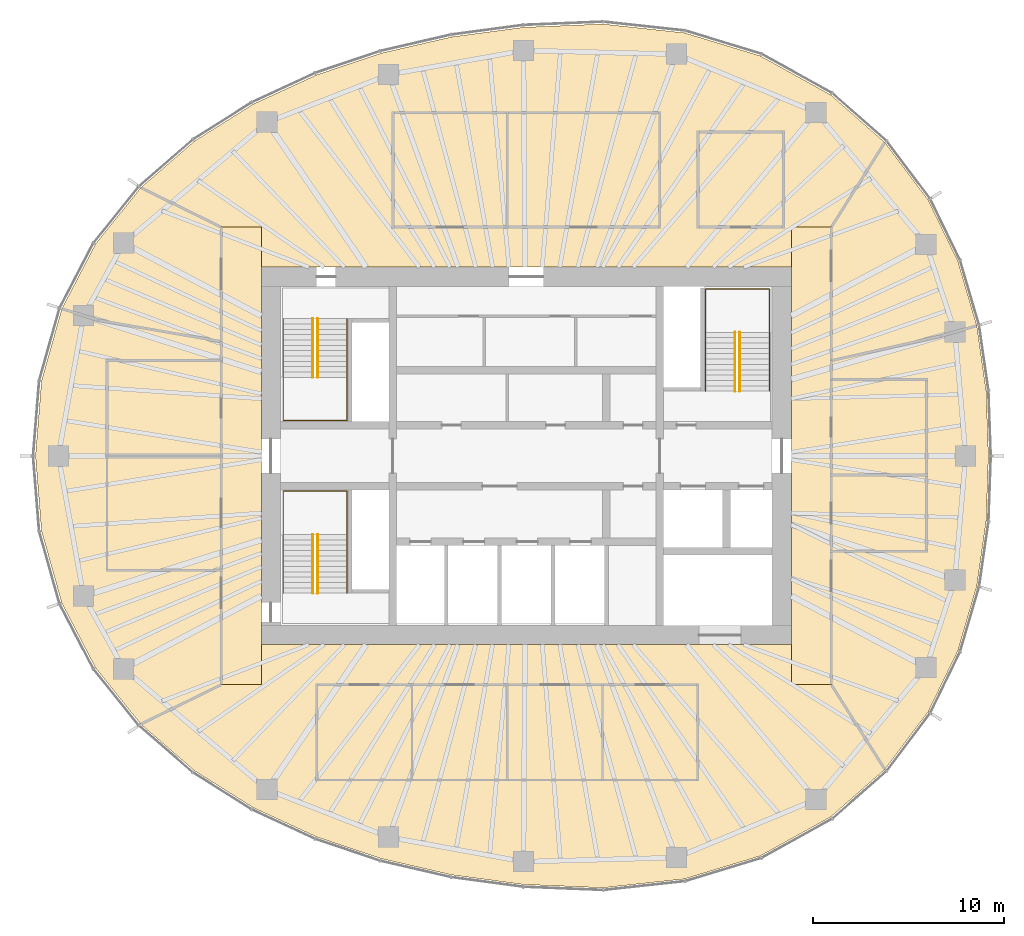
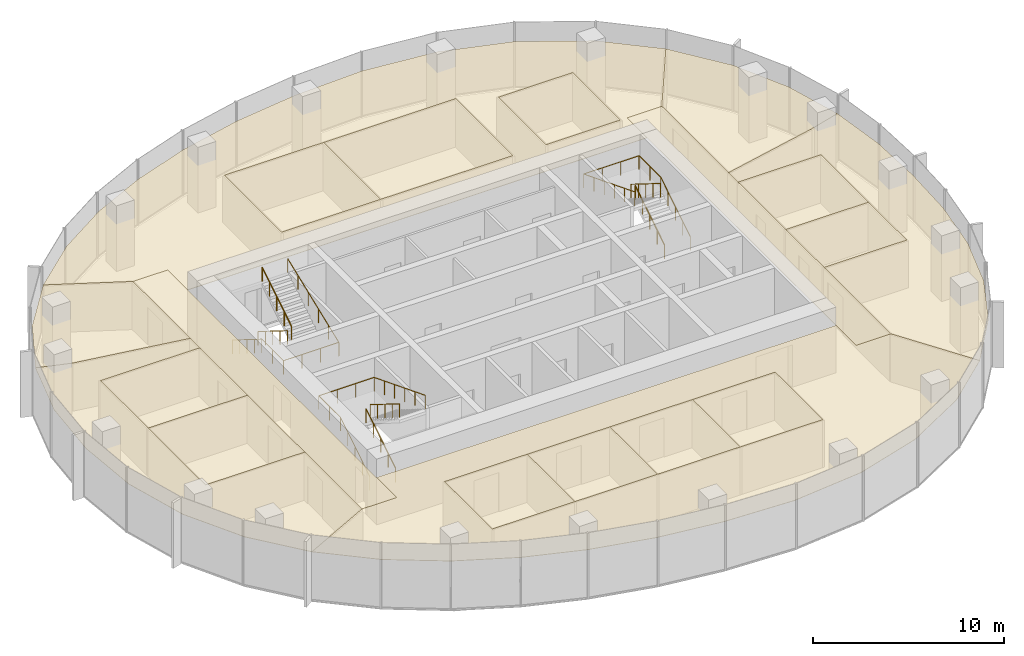
# One storey, part 11 of 11: 19 coverings, 9 railings.
"""IFC4 building model written with IfcOpenShell, lengths in metres."""

from ifc_helpers import new_model, si_unit, direction, frame, origin, origin_2d, place, context, subcontext, project, spatial, polyline, circle, outline, extrude, material, layer, layer_set, type_object, element, save


model = new_model("IFC4")

# Units and contexts
model_context = context("Model", 3, precision=1e-05, world=origin(), true_north=direction((0.0, 1.0)))
body_context = subcontext(model_context, "Body", "Model", "MODEL_VIEW")
ifc_project = project(units=[si_unit("LENGTHUNIT", "METRE"), si_unit("AREAUNIT", "SQUARE_METRE"), si_unit("VOLUMEUNIT", "CUBIC_METRE"), si_unit("PLANEANGLEUNIT", "RADIAN"), si_unit("MASSUNIT", "GRAM", prefix="KILO")], contexts=[model_context])

# Site, building, storey
site_placement = place(None, origin())
site = spatial("IfcSite", under=ifc_project, at=site_placement, CompositionType="ELEMENT")
building_placement = place(site_placement, origin())
building = spatial("IfcBuilding", under=site, at=building_placement, Name="Ghaith Harvest Tower", CompositionType="ELEMENT")
storey_placement = place(building_placement, frame((0.0, 0.0, 288.0)))
storey = spatial("IfcBuildingStorey", under=building, at=storey_placement, Name="L64", CompositionType="ELEMENT", Elevation=288.0)

# Coverings
ifc_material_1 = material(Name="Mineral fibre ceiling tile", Category="gypsum")
ifc_layer = layer(ifc_material_1, 0.02490234375)
ifc_layer_set = layer_set([ifc_layer], Name="CEILING C2")
covering_type = type_object("IfcCoveringType", Name="CEILING C2", PredefinedType="CEILING", material=ifc_layer_set)
covering_1_placement = place(storey_placement, frame((0.0, 0.0, 3.0)))
element("IfcCovering", 1, at=covering_1_placement, inside=storey, type_object=covering_type, Name="Ceiling L64-01", PredefinedType="CEILING", context=body_context, shape_type="SweptSolid", body=[
    extrude(outline(polyline([(-11.0, -17.0), (-6.0, -17.0), (-6.0, -12.0), (-11.0, -12.0), (-11.0, -17.0)])), origin(), (0.0, 0.0, 1.0), 0.02490234375),
])
covering_2_placement = place(storey_placement, frame((0.0, 0.0, 3.0)))
element("IfcCovering", 2, at=covering_2_placement, inside=storey, type_object=covering_type, Name="Ceiling L64-02", PredefinedType="CEILING", context=body_context, shape_type="SweptSolid", body=[
    extrude(outline(polyline([(-6.0, -17.0), (-1.0, -17.0), (-1.0, -12.0), (-6.0, -12.0), (-6.0, -17.0)])), origin(), (0.0, 0.0, 1.0), 0.02490234375),
])
covering_3_placement = place(storey_placement, frame((0.0, 0.0, 3.0)))
element("IfcCovering", 3, at=covering_3_placement, inside=storey, type_object=covering_type, Name="Ceiling L64-03", PredefinedType="CEILING", context=body_context, shape_type="SweptSolid", body=[
    extrude(outline(polyline([(-1.0, -17.0), (4.0, -17.0), (4.0, -12.0), (-1.0, -12.0), (-1.0, -17.0)])), origin(), (0.0, 0.0, 1.0), 0.02490234375),
])
covering_4_placement = place(storey_placement, frame((0.0, 0.0, 3.0)))
element("IfcCovering", 4, at=covering_4_placement, inside=storey, type_object=covering_type, Name="Ceiling L64-04", PredefinedType="CEILING", context=body_context, shape_type="SweptSolid", body=[
    extrude(outline(polyline([(4.0, -17.0), (9.0, -17.0), (9.0, -12.0), (4.0, -12.0), (4.0, -17.0)])), origin(), (0.0, 0.0, 1.0), 0.02490234375),
])
covering_5_placement = place(storey_placement, frame((0.0, 0.0, 3.0)))
element("IfcCovering", 5, at=covering_5_placement, inside=storey, type_object=covering_type, Name="Ceiling L64-05", PredefinedType="CEILING", context=body_context, shape_type="SweptSolid", body=[
    extrude(outline(polyline([(-22.0, -6.0), (-16.0, -6.0), (-16.0, 0.0), (-22.0, 0.0), (-22.0, -6.0)])), origin(), (0.0, 0.0, 1.0), 0.02490234375),
])
covering_6_placement = place(storey_placement, frame((0.0, 0.0, 3.0)))
element("IfcCovering", 6, at=covering_6_placement, inside=storey, type_object=covering_type, Name="Ceiling L64-06", PredefinedType="CEILING", context=body_context, shape_type="SweptSolid", body=[
    extrude(outline(polyline([(-22.0, 0.0), (-16.0, 0.0), (-16.0, 5.0), (-22.0, 5.0), (-22.0, 0.0)])), origin(), (0.0, 0.0, 1.0), 0.02490234375),
])
covering_7_placement = place(storey_placement, frame((0.0, 0.0, 3.0)))
element("IfcCovering", 7, at=covering_7_placement, inside=storey, type_object=covering_type, Name="Ceiling L64-07", PredefinedType="CEILING", context=body_context, shape_type="SweptSolid", body=[
    extrude(outline(polyline([(-7.0, 12.0), (-1.0, 12.0), (-1.0, 18.0), (-7.0, 18.0), (-7.0, 12.0)])), origin(), (0.0, 0.0, 1.0), 0.02490234375),
])
covering_8_placement = place(storey_placement, frame((0.0, 0.0, 3.0)))
element("IfcCovering", 8, at=covering_8_placement, inside=storey, type_object=covering_type, Name="Ceiling L64-08", PredefinedType="CEILING", context=body_context, shape_type="SweptSolid", body=[
    extrude(outline(polyline([(-1.0, 12.0), (7.0, 12.0), (7.0, 18.0), (-1.0, 18.0), (-1.0, 12.0)])), origin(), (0.0, 0.0, 1.0), 0.02490234375),
])
covering_9_placement = place(storey_placement, frame((0.0, 0.0, 3.0)))
element("IfcCovering", 9, at=covering_9_placement, inside=storey, type_object=covering_type, Name="Ceiling L64-09", PredefinedType="CEILING", context=body_context, shape_type="SweptSolid", body=[
    extrude(outline(polyline([(16.0, -5.0), (21.0, -5.0), (21.0, -1.0), (16.0, -1.0), (16.0, -5.0)])), origin(), (0.0, 0.0, 1.0), 0.02490234375),
])
covering_10_placement = place(storey_placement, frame((0.0, 0.0, 3.0)))
element("IfcCovering", 10, at=covering_10_placement, inside=storey, type_object=covering_type, Name="Ceiling L64-10", PredefinedType="CEILING", context=body_context, shape_type="SweptSolid", body=[
    extrude(outline(polyline([(16.0, -1.0), (21.0, -1.0), (21.0, 4.0), (16.0, 4.0), (16.0, -1.0)])), origin(), (0.0, 0.0, 1.0), 0.02490234375),
])
covering_11_placement = place(storey_placement, frame((0.0, 0.0, 3.0)))
element("IfcCovering", 11, at=covering_11_placement, inside=storey, type_object=covering_type, Name="Ceiling L64-11", PredefinedType="CEILING", context=body_context, shape_type="SweptSolid", body=[
    extrude(outline(polyline([(9.0, 12.0), (13.5, 12.0), (13.5, 17.0), (9.0, 17.0), (9.0, 12.0)])), origin(), (0.0, 0.0, 1.0), 0.02490234375),
])
covering_12_placement = place(storey_placement, frame((0.0, 0.0, 3.0)))
element("IfcCovering", 12, at=covering_12_placement, inside=storey, type_object=covering_type, Name="Ceiling L64-C1", PredefinedType="CEILING", context=body_context, shape_type="SweptSolid", body=[
    extrude(outline(polyline([(13.89990234375, -12.0), (13.89990234375, 12.0), (16.0, 12.0), (16.0, -12.0), (13.89990234375, -12.0)])), origin(), (0.0, 0.0, 1.0), 0.02490234375),
])
covering_13_placement = place(storey_placement, frame((0.0, 0.0, 3.0)))
element("IfcCovering", 13, at=covering_13_placement, inside=storey, type_object=covering_type, Name="Ceiling L64-C2", PredefinedType="CEILING", context=body_context, shape_type="SweptSolid", body=[
    extrude(outline(polyline([(-13.89990234375, 12.0), (-13.89990234375, -12.0), (-16.0, -12.0), (-16.0, 12.0), (-13.89990234375, 12.0)])), origin(), (0.0, 0.0, 1.0), 0.02490234375),
])
covering_14_placement = place(storey_placement, frame((0.0, 0.0, 3.0)))
element("IfcCovering", 14, at=covering_14_placement, inside=storey, type_object=covering_type, Name="Ceiling L64-N1", PredefinedType="CEILING", context=body_context, shape_type="SweptSolid", body=[
    extrude(outline(polyline([(-17.40771484375, 16.518310546875), (-14.331298828125, 18.452880859375), (-11.009521484375, 19.98779296875), (-7.6298828125, 21.12548828125), (-3.92529296875, 21.98046875), (-0.15380859375, 22.486083984375), (4.016845703125, 22.658447265625), (8.2978515625, 22.1962890625), (12.273681640625, 20.98828125), (15.971923828125, 18.940185546875), (18.810791015625, 16.4482421875), (16.0, 12.0), (13.89990234375, 12.0), (13.89990234375, 9.89990234375), (-13.89990234375, 9.89990234375), (-13.89990234375, 12.0), (-16.0, 12.0), (-20.225830078125, 14.0732421875), (-17.40771484375, 16.518310546875)]), holes=[polyline([(7.0, 18.0), (-7.0, 18.0), (-7.0, 12.0), (7.0, 12.0), (7.0, 18.0)]), polyline([(9.0, 17.0), (9.0, 12.0), (13.5, 12.0), (13.5, 17.0), (9.0, 17.0)])]), origin(), (0.0, 0.0, 1.0), 0.02490234375),
])
covering_15_placement = place(storey_placement, frame((0.0, 0.0, 3.0)))
element("IfcCovering", 15, at=covering_15_placement, inside=storey, type_object=covering_type, Name="Ceiling L64-E1", PredefinedType="CEILING", context=body_context, shape_type="SweptSolid", body=[
    extrude(outline(polyline([(21.087890625, 13.42041015625), (22.644775390625, 10.222900390625), (23.6376953125, 6.831787109375), (21.71630859375, 6.276611328125), (16.0, 5.0), (16.0, 12.0), (18.810791015625, 16.4482421875), (21.087890625, 13.42041015625)])), origin(), (0.0, 0.0, 1.0), 0.02490234375),
])
covering_16_placement = place(storey_placement, frame((0.0, 0.0, 3.0)))
element("IfcCovering", 16, at=covering_16_placement, inside=storey, type_object=covering_type, Name="Ceiling L64-E2", PredefinedType="CEILING", context=body_context, shape_type="SweptSolid", body=[
    extrude(outline(polyline([(23.6376953125, 6.831787109375), (23.6376953125, 6.831787109375), (24.129150390625, 3.4169921875), (24.25, 0.0), (24.129150390625, -3.4169921875), (23.6376953125, -6.831787109375), (22.644775390625, -10.222900390625), (21.087890625, -13.42041015625), (18.810791015625, -16.4482421875), (16.0, -12.0), (16.0, -5.0), (21.0, -5.0), (21.0, 4.0), (16.0, 4.0), (16.0, 5.0), (21.71630859375, 6.276611328125), (23.6376953125, 6.831787109375)])), origin(), (0.0, 0.0, 1.0), 0.02490234375),
])
covering_17_placement = place(storey_placement, frame((0.0, 0.0, 3.0)))
element("IfcCovering", 17, at=covering_17_placement, inside=storey, type_object=covering_type, Name="Ceiling L64-S1", PredefinedType="CEILING", context=body_context, shape_type="SweptSolid", body=[
    extrude(outline(polyline([(-14.331298828125, -18.452880859375), (-17.40771484375, -16.518310546875), (-20.225830078125, -14.0732421875), (-16.0, -12.0), (-13.89990234375, -12.0), (-13.89990234375, -9.89990234375), (13.89990234375, -9.89990234375), (13.89990234375, -12.0), (16.0, -12.0), (18.810791015625, -16.4482421875), (15.971923828125, -18.940185546875), (12.273681640625, -20.98828125), (8.2978515625, -22.1962890625), (4.016845703125, -22.658447265625), (-0.15380859375, -22.486083984375), (-3.92529296875, -21.98046875), (-7.6298828125, -21.12548828125), (-11.009521484375, -19.98779296875), (-14.331298828125, -18.452880859375)]), holes=[polyline([(-11.0, -17.0), (9.0, -17.0), (9.0, -12.0), (-11.0, -12.0), (-11.0, -17.0)])]), origin(), (0.0, 0.0, 1.0), 0.02490234375),
])
covering_18_placement = place(storey_placement, frame((0.0, 0.0, 3.0)))
element("IfcCovering", 18, at=covering_18_placement, inside=storey, type_object=covering_type, Name="Ceiling L64-W1", PredefinedType="CEILING", context=body_context, shape_type="SweptSolid", body=[
    extrude(outline(polyline([(-22.5986328125, -11.12353515625), (-24.368408203125, -7.722900390625), (-25.43310546875, -3.93359375), (-25.75, 0.0), (-25.43310546875, 3.93359375), (-24.368408203125, 7.722900390625), (-24.368408203125, 7.722900390625), (-22.4619140625, 7.11865234375), (-16.0, 6.0), (-16.0, 5.0), (-22.0, 5.0), (-22.0, -6.0), (-16.0, -6.0), (-16.0, -12.0), (-20.225830078125, -14.0732421875), (-22.5986328125, -11.12353515625)])), origin(), (0.0, 0.0, 1.0), 0.02490234375),
])
covering_19_placement = place(storey_placement, frame((0.0, 0.0, 3.0)))
element("IfcCovering", 19, at=covering_19_placement, inside=storey, type_object=covering_type, Name="Ceiling L64-W2", PredefinedType="CEILING", context=body_context, shape_type="SweptSolid", body=[
    extrude(outline(polyline([(-24.368408203125, 7.722900390625), (-24.368408203125, 7.722900390625), (-22.5986328125, 11.12353515625), (-20.225830078125, 14.0732421875), (-16.0, 12.0), (-16.0, 6.0), (-22.4619140625, 7.11865234375), (-24.368408203125, 7.722900390625), (-24.368408203125, 7.722900390625)])), origin(), (0.0, 0.0, 1.0), 0.02490234375),
])

# Railings
ifc_material_2 = material(Name="Steel, black powder-coated", Category="steel")
railing_type = type_object("IfcRailingType", Name="HANDRAIL HR1", PredefinedType="HANDRAIL", material=ifc_material_2)
railing_1_placement = place(storey_placement, frame((-11.199951171875, 7.199951171875, 0.175048828125)))
element("IfcRailing", 20, at=railing_1_placement, inside=storey, type_object=railing_type, Name="Handrail HR1 stair ST1 L64 flight 1 inner", PredefinedType="HANDRAIL", context=body_context, shape_type="SweptSolid", body=[
    extrude(circle(Radius=0.02392578125, at=origin_2d()), frame((0.0, 0.0, 0.8759765625), z_axis=(0.0, -0.847979421464, 0.530029150871), x_axis=(1.0, 0.0, 0.0)), (0.0, 0.0, 1.0), 3.632080078125),
    extrude(circle(Radius=0.02099609375, at=origin_2d()), origin(), (0.0, 0.0, 1.0), 0.851806640625),
    extrude(circle(Radius=0.02099609375, at=origin_2d()), frame((0.0, -0.77001953125, 0.481201171875)), (0.0, 0.0, 1.0), 0.851806640625),
    extrude(circle(Radius=0.02099609375, at=origin_2d()), frame((0.0, -1.5400390625, 0.96240234375)), (0.0, 0.0, 1.0), 0.851806640625),
    extrude(circle(Radius=0.02099609375, at=origin_2d()), frame((0.0, -2.309814453125, 1.44384765625)), (0.0, 0.0, 1.0), 0.851806640625),
    extrude(circle(Radius=0.02099609375, at=origin_2d()), frame((0.0, -3.079833984375, 1.925048828125)), (0.0, 0.0, 1.0), 0.851806640625),
])
railing_2_placement = place(storey_placement, frame((-10.949951171875, 4.1201171875, 2.27490234375)))
element("IfcRailing", 21, at=railing_2_placement, inside=storey, type_object=railing_type, Name="Handrail HR1 stair ST1 L64 flight 2 inner", PredefinedType="HANDRAIL", context=body_context, shape_type="SweptSolid", body=[
    extrude(circle(Radius=0.02392578125, at=origin_2d()), frame((0.0, 0.0, 0.8759765625), z_axis=(0.0, 0.847979421464, 0.530029150871), x_axis=(-1.0, 0.0, 0.0)), (0.0, 0.0, 1.0), 3.632080078125),
    extrude(circle(Radius=0.02099609375, at=origin_2d()), origin(), (0.0, 0.0, 1.0), 0.851806640625),
    extrude(circle(Radius=0.02099609375, at=origin_2d()), frame((0.0, 0.77001953125, 0.481201171875)), (0.0, 0.0, 1.0), 0.851806640625),
    extrude(circle(Radius=0.02099609375, at=origin_2d()), frame((0.0, 1.5400390625, 0.96240234375)), (0.0, 0.0, 1.0), 0.851806640625),
    extrude(circle(Radius=0.02099609375, at=origin_2d()), frame((0.0, 2.309814453125, 1.44384765625)), (0.0, 0.0, 1.0), 0.851806640625),
    extrude(circle(Radius=0.02099609375, at=origin_2d()), frame((0.0, 3.079833984375, 1.925048828125)), (0.0, 0.0, 1.0), 0.851806640625),
])
railing_3_placement = place(storey_placement, frame((-12.75, 7.199951171875, 0.175048828125)))
element("IfcRailing", 22, at=railing_3_placement, inside=storey, type_object=railing_type, Name="Handrail HR1 stair ST1 L64 wall side", PredefinedType="HANDRAIL", context=body_context, shape_type="SweptSolid", body=[
    extrude(circle(Radius=0.02392578125, at=origin_2d()), frame((0.0, 0.0, 0.8759765625), z_axis=(0.0, -0.847979421464, 0.530029150871), x_axis=(1.0, 0.0, 0.0)), (0.0, 0.0, 1.0), 3.632080078125),
    extrude(circle(Radius=0.02392578125, at=origin_2d()), frame((0.0, -3.079833984375, 2.80078125), z_axis=(0.0, -1.0, 0.0), x_axis=(1.0, 0.0, 0.0)), (0.0, 0.0, 1.0), 2.27001953125),
    extrude(circle(Radius=0.02392578125, at=origin_2d()), frame((0.0, -5.349853515625, 2.80078125), z_axis=(1.0, 0.0, 0.0), x_axis=(0.0, 1.0, 0.0)), (0.0, 0.0, 1.0), 3.35009765625),
    extrude(circle(Radius=0.02392578125, at=origin_2d()), frame((3.35009765625, -5.349853515625, 2.80078125), z_axis=(0.0, 0.930862461605, 0.365369781968), x_axis=(-1.0, 0.0, 0.0)), (0.0, 0.0, 1.0), 5.747314453125),
    extrude(circle(Radius=0.02099609375, at=origin_2d()), origin(), (0.0, 0.0, 1.0), 0.851806640625),
    extrude(circle(Radius=0.02099609375, at=origin_2d()), frame((0.0, -0.77001953125, 0.481201171875)), (0.0, 0.0, 1.0), 0.851806640625),
    extrude(circle(Radius=0.02099609375, at=origin_2d()), frame((0.0, -1.5400390625, 0.96240234375)), (0.0, 0.0, 1.0), 0.851806640625),
    extrude(circle(Radius=0.02099609375, at=origin_2d()), frame((0.0, -2.309814453125, 1.44384765625)), (0.0, 0.0, 1.0), 0.851806640625),
    extrude(circle(Radius=0.02099609375, at=origin_2d()), frame((0.0, -3.079833984375, 1.925048828125)), (0.0, 0.0, 1.0), 0.851806640625),
    extrude(circle(Radius=0.02099609375, at=origin_2d()), frame((0.0, -4.21484375, 1.925048828125)), (0.0, 0.0, 1.0), 0.851806640625),
    extrude(circle(Radius=0.02099609375, at=origin_2d()), frame((0.0, -5.349853515625, 1.925048828125)), (0.0, 0.0, 1.0), 0.851806640625),
    extrude(circle(Radius=0.02099609375, at=origin_2d()), frame((1.11669921875, -5.349853515625, 1.925048828125)), (0.0, 0.0, 1.0), 0.851806640625),
    extrude(circle(Radius=0.02099609375, at=origin_2d()), frame((2.2333984375, -5.349853515625, 1.925048828125)), (0.0, 0.0, 1.0), 0.851806640625),
    extrude(circle(Radius=0.02099609375, at=origin_2d()), frame((3.35009765625, -5.349853515625, 1.925048828125)), (0.0, 0.0, 1.0), 0.851806640625),
    extrude(circle(Radius=0.02099609375, at=origin_2d()), frame((3.35009765625, -4.27978515625, 2.344970703125)), (0.0, 0.0, 1.0), 0.851806640625),
    extrude(circle(Radius=0.02099609375, at=origin_2d()), frame((3.35009765625, -3.2099609375, 2.764892578125)), (0.0, 0.0, 1.0), 0.851806640625),
    extrude(circle(Radius=0.02099609375, at=origin_2d()), frame((3.35009765625, -2.139892578125, 3.18505859375)), (0.0, 0.0, 1.0), 0.851806640625),
    extrude(circle(Radius=0.02099609375, at=origin_2d()), frame((3.35009765625, -1.070068359375, 3.60498046875)), (0.0, 0.0, 1.0), 0.851806640625),
    extrude(circle(Radius=0.02099609375, at=origin_2d()), frame((3.35009765625, 0.0, 4.02490234375)), (0.0, 0.0, 1.0), 0.851806640625),
])
railing_4_placement = place(storey_placement, frame((-11.199951171875, -7.199951171875, 0.175048828125)))
element("IfcRailing", 23, at=railing_4_placement, inside=storey, type_object=railing_type, Name="Handrail HR1 stair ST3 L64 flight 1 inner", PredefinedType="HANDRAIL", context=body_context, shape_type="SweptSolid", body=[
    extrude(circle(Radius=0.02392578125, at=origin_2d()), frame((0.0, 0.0, 0.8759765625), z_axis=(0.0, 0.847979421464, 0.530029150871), x_axis=(-1.0, 0.0, 0.0)), (0.0, 0.0, 1.0), 3.632080078125),
    extrude(circle(Radius=0.02099609375, at=origin_2d()), origin(), (0.0, 0.0, 1.0), 0.851806640625),
    extrude(circle(Radius=0.02099609375, at=origin_2d()), frame((0.0, 0.77001953125, 0.481201171875)), (0.0, 0.0, 1.0), 0.851806640625),
    extrude(circle(Radius=0.02099609375, at=origin_2d()), frame((0.0, 1.5400390625, 0.96240234375)), (0.0, 0.0, 1.0), 0.851806640625),
    extrude(circle(Radius=0.02099609375, at=origin_2d()), frame((0.0, 2.309814453125, 1.44384765625)), (0.0, 0.0, 1.0), 0.851806640625),
    extrude(circle(Radius=0.02099609375, at=origin_2d()), frame((0.0, 3.079833984375, 1.925048828125)), (0.0, 0.0, 1.0), 0.851806640625),
])
railing_5_placement = place(storey_placement, frame((-10.949951171875, -4.1201171875, 2.27490234375)))
element("IfcRailing", 24, at=railing_5_placement, inside=storey, type_object=railing_type, Name="Handrail HR1 stair ST3 L64 flight 2 inner", PredefinedType="HANDRAIL", context=body_context, shape_type="SweptSolid", body=[
    extrude(circle(Radius=0.02392578125, at=origin_2d()), frame((0.0, 0.0, 0.8759765625), z_axis=(0.0, -0.847979421464, 0.530029150871), x_axis=(1.0, 0.0, 0.0)), (0.0, 0.0, 1.0), 3.632080078125),
    extrude(circle(Radius=0.02099609375, at=origin_2d()), origin(), (0.0, 0.0, 1.0), 0.851806640625),
    extrude(circle(Radius=0.02099609375, at=origin_2d()), frame((0.0, -0.77001953125, 0.481201171875)), (0.0, 0.0, 1.0), 0.851806640625),
    extrude(circle(Radius=0.02099609375, at=origin_2d()), frame((0.0, -1.5400390625, 0.96240234375)), (0.0, 0.0, 1.0), 0.851806640625),
    extrude(circle(Radius=0.02099609375, at=origin_2d()), frame((0.0, -2.309814453125, 1.44384765625)), (0.0, 0.0, 1.0), 0.851806640625),
    extrude(circle(Radius=0.02099609375, at=origin_2d()), frame((0.0, -3.079833984375, 1.925048828125)), (0.0, 0.0, 1.0), 0.851806640625),
])
railing_6_placement = place(storey_placement, frame((-12.75, -7.199951171875, 0.175048828125)))
element("IfcRailing", 25, at=railing_6_placement, inside=storey, type_object=railing_type, Name="Handrail HR1 stair ST3 L64 wall side", PredefinedType="HANDRAIL", context=body_context, shape_type="SweptSolid", body=[
    extrude(circle(Radius=0.02392578125, at=origin_2d()), frame((0.0, 0.0, 0.8759765625), z_axis=(0.0, 0.847979421464, 0.530029150871), x_axis=(-1.0, 0.0, 0.0)), (0.0, 0.0, 1.0), 3.632080078125),
    extrude(circle(Radius=0.02392578125, at=origin_2d()), frame((0.0, 3.079833984375, 2.80078125), z_axis=(0.0, 1.0, 0.0), x_axis=(-1.0, 0.0, 0.0)), (0.0, 0.0, 1.0), 2.27001953125),
    extrude(circle(Radius=0.02392578125, at=origin_2d()), frame((0.0, 5.349853515625, 2.80078125), z_axis=(1.0, 0.0, 0.0), x_axis=(0.0, 1.0, 0.0)), (0.0, 0.0, 1.0), 3.35009765625),
    extrude(circle(Radius=0.02392578125, at=origin_2d()), frame((3.35009765625, 5.349853515625, 2.80078125), z_axis=(0.0, -0.930862461605, 0.365369781968), x_axis=(1.0, 0.0, 0.0)), (0.0, 0.0, 1.0), 5.747314453125),
    extrude(circle(Radius=0.02099609375, at=origin_2d()), origin(), (0.0, 0.0, 1.0), 0.851806640625),
    extrude(circle(Radius=0.02099609375, at=origin_2d()), frame((0.0, 0.77001953125, 0.481201171875)), (0.0, 0.0, 1.0), 0.851806640625),
    extrude(circle(Radius=0.02099609375, at=origin_2d()), frame((0.0, 1.5400390625, 0.96240234375)), (0.0, 0.0, 1.0), 0.851806640625),
    extrude(circle(Radius=0.02099609375, at=origin_2d()), frame((0.0, 2.309814453125, 1.44384765625)), (0.0, 0.0, 1.0), 0.851806640625),
    extrude(circle(Radius=0.02099609375, at=origin_2d()), frame((0.0, 3.079833984375, 1.925048828125)), (0.0, 0.0, 1.0), 0.851806640625),
    extrude(circle(Radius=0.02099609375, at=origin_2d()), frame((0.0, 4.21484375, 1.925048828125)), (0.0, 0.0, 1.0), 0.851806640625),
    extrude(circle(Radius=0.02099609375, at=origin_2d()), frame((0.0, 5.349853515625, 1.925048828125)), (0.0, 0.0, 1.0), 0.851806640625),
    extrude(circle(Radius=0.02099609375, at=origin_2d()), frame((1.11669921875, 5.349853515625, 1.925048828125)), (0.0, 0.0, 1.0), 0.851806640625),
    extrude(circle(Radius=0.02099609375, at=origin_2d()), frame((2.2333984375, 5.349853515625, 1.925048828125)), (0.0, 0.0, 1.0), 0.851806640625),
    extrude(circle(Radius=0.02099609375, at=origin_2d()), frame((3.35009765625, 5.349853515625, 1.925048828125)), (0.0, 0.0, 1.0), 0.851806640625),
    extrude(circle(Radius=0.02099609375, at=origin_2d()), frame((3.35009765625, 4.27978515625, 2.344970703125)), (0.0, 0.0, 1.0), 0.851806640625),
    extrude(circle(Radius=0.02099609375, at=origin_2d()), frame((3.35009765625, 3.2099609375, 2.764892578125)), (0.0, 0.0, 1.0), 0.851806640625),
    extrude(circle(Radius=0.02099609375, at=origin_2d()), frame((3.35009765625, 2.139892578125, 3.18505859375)), (0.0, 0.0, 1.0), 0.851806640625),
    extrude(circle(Radius=0.02099609375, at=origin_2d()), frame((3.35009765625, 1.070068359375, 3.60498046875)), (0.0, 0.0, 1.0), 0.851806640625),
    extrude(circle(Radius=0.02099609375, at=origin_2d()), frame((3.35009765625, 0.0, 4.02490234375)), (0.0, 0.0, 1.0), 0.851806640625),
])
railing_7_placement = place(storey_placement, frame((11.199951171875, 3.39990234375, 0.175048828125)))
element("IfcRailing", 26, at=railing_7_placement, inside=storey, type_object=railing_type, Name="Handrail HR1 stair ST2 L64 flight 1 inner", PredefinedType="HANDRAIL", context=body_context, shape_type="SweptSolid", body=[
    extrude(circle(Radius=0.02392578125, at=origin_2d()), frame((0.0, 0.0, 0.8759765625), z_axis=(0.0, 0.847998304005, 0.529998940003), x_axis=(-1.0, 0.0, 0.0)), (0.0, 0.0, 1.0), 3.632080078125),
    extrude(circle(Radius=0.02099609375, at=origin_2d()), origin(), (0.0, 0.0, 1.0), 0.851806640625),
    extrude(circle(Radius=0.02099609375, at=origin_2d()), frame((0.0, 0.77001953125, 0.481201171875)), (0.0, 0.0, 1.0), 0.851806640625),
    extrude(circle(Radius=0.02099609375, at=origin_2d()), frame((0.0, 1.5400390625, 0.96240234375)), (0.0, 0.0, 1.0), 0.851806640625),
    extrude(circle(Radius=0.02099609375, at=origin_2d()), frame((0.0, 2.31005859375, 1.44384765625)), (0.0, 0.0, 1.0), 0.851806640625),
    extrude(circle(Radius=0.02099609375, at=origin_2d()), frame((0.0, 3.080078125, 1.925048828125)), (0.0, 0.0, 1.0), 0.851806640625),
])
railing_8_placement = place(storey_placement, frame((10.949951171875, 6.47998046875, 2.27490234375)))
element("IfcRailing", 27, at=railing_8_placement, inside=storey, type_object=railing_type, Name="Handrail HR1 stair ST2 L64 flight 2 inner", PredefinedType="HANDRAIL", context=body_context, shape_type="SweptSolid", body=[
    extrude(circle(Radius=0.02392578125, at=origin_2d()), frame((0.0, 0.0, 0.8759765625), z_axis=(0.0, -0.847998304005, 0.529998940003), x_axis=(1.0, 0.0, 0.0)), (0.0, 0.0, 1.0), 3.632080078125),
    extrude(circle(Radius=0.02099609375, at=origin_2d()), origin(), (0.0, 0.0, 1.0), 0.851806640625),
    extrude(circle(Radius=0.02099609375, at=origin_2d()), frame((0.0, -0.77001953125, 0.481201171875)), (0.0, 0.0, 1.0), 0.851806640625),
    extrude(circle(Radius=0.02099609375, at=origin_2d()), frame((0.0, -1.5400390625, 0.96240234375)), (0.0, 0.0, 1.0), 0.851806640625),
    extrude(circle(Radius=0.02099609375, at=origin_2d()), frame((0.0, -2.31005859375, 1.44384765625)), (0.0, 0.0, 1.0), 0.851806640625),
    extrude(circle(Radius=0.02099609375, at=origin_2d()), frame((0.0, -3.080078125, 1.925048828125)), (0.0, 0.0, 1.0), 0.851806640625),
])
railing_9_placement = place(storey_placement, frame((12.75, 3.39990234375, 0.175048828125)))
element("IfcRailing", 28, at=railing_9_placement, inside=storey, type_object=railing_type, Name="Handrail HR1 stair ST2 L64 wall side", PredefinedType="HANDRAIL", context=body_context, shape_type="SweptSolid", body=[
    extrude(circle(Radius=0.02392578125, at=origin_2d()), frame((0.0, 0.0, 0.8759765625), z_axis=(0.0, 0.847998304005, 0.529998940003), x_axis=(-1.0, 0.0, 0.0)), (0.0, 0.0, 1.0), 3.632080078125),
    extrude(circle(Radius=0.02392578125, at=origin_2d()), frame((0.0, 3.080078125, 2.80078125), z_axis=(0.0, 1.0, 0.0), x_axis=(-1.0, 0.0, 0.0)), (0.0, 0.0, 1.0), 2.27001953125),
    extrude(circle(Radius=0.02392578125, at=origin_2d()), frame((0.0, 5.35009765625, 2.80078125), z_axis=(-1.0, 0.0, 0.0), x_axis=(0.0, -1.0, 0.0)), (0.0, 0.0, 1.0), 3.35009765625),
    extrude(circle(Radius=0.02392578125, at=origin_2d()), frame((-3.35009765625, 5.35009765625, 2.80078125), z_axis=(0.0, -0.930868132128, 0.365355334692), x_axis=(1.0, 0.0, 0.0)), (0.0, 0.0, 1.0), 5.747314453125),
    extrude(circle(Radius=0.02099609375, at=origin_2d()), origin(), (0.0, 0.0, 1.0), 0.851806640625),
    extrude(circle(Radius=0.02099609375, at=origin_2d()), frame((0.0, 0.77001953125, 0.481201171875)), (0.0, 0.0, 1.0), 0.851806640625),
    extrude(circle(Radius=0.02099609375, at=origin_2d()), frame((0.0, 1.5400390625, 0.96240234375)), (0.0, 0.0, 1.0), 0.851806640625),
    extrude(circle(Radius=0.02099609375, at=origin_2d()), frame((0.0, 2.31005859375, 1.44384765625)), (0.0, 0.0, 1.0), 0.851806640625),
    extrude(circle(Radius=0.02099609375, at=origin_2d()), frame((0.0, 3.080078125, 1.925048828125)), (0.0, 0.0, 1.0), 0.851806640625),
    extrude(circle(Radius=0.02099609375, at=origin_2d()), frame((0.0, 4.215087890625, 1.925048828125)), (0.0, 0.0, 1.0), 0.851806640625),
    extrude(circle(Radius=0.02099609375, at=origin_2d()), frame((0.0, 5.35009765625, 1.925048828125)), (0.0, 0.0, 1.0), 0.851806640625),
    extrude(circle(Radius=0.02099609375, at=origin_2d()), frame((-1.11669921875, 5.35009765625, 1.925048828125)), (0.0, 0.0, 1.0), 0.851806640625),
    extrude(circle(Radius=0.02099609375, at=origin_2d()), frame((-2.2333984375, 5.35009765625, 1.925048828125)), (0.0, 0.0, 1.0), 0.851806640625),
    extrude(circle(Radius=0.02099609375, at=origin_2d()), frame((-3.35009765625, 5.35009765625, 1.925048828125)), (0.0, 0.0, 1.0), 0.851806640625),
    extrude(circle(Radius=0.02099609375, at=origin_2d()), frame((-3.35009765625, 4.280029296875, 2.344970703125)), (0.0, 0.0, 1.0), 0.851806640625),
    extrude(circle(Radius=0.02099609375, at=origin_2d()), frame((-3.35009765625, 3.2099609375, 2.764892578125)), (0.0, 0.0, 1.0), 0.851806640625),
    extrude(circle(Radius=0.02099609375, at=origin_2d()), frame((-3.35009765625, 2.14013671875, 3.18505859375)), (0.0, 0.0, 1.0), 0.851806640625),
    extrude(circle(Radius=0.02099609375, at=origin_2d()), frame((-3.35009765625, 1.070068359375, 3.60498046875)), (0.0, 0.0, 1.0), 0.851806640625),
    extrude(circle(Radius=0.02099609375, at=origin_2d()), frame((-3.35009765625, 0.0, 4.02490234375)), (0.0, 0.0, 1.0), 0.851806640625),
])

save(model, "model.ifc")
